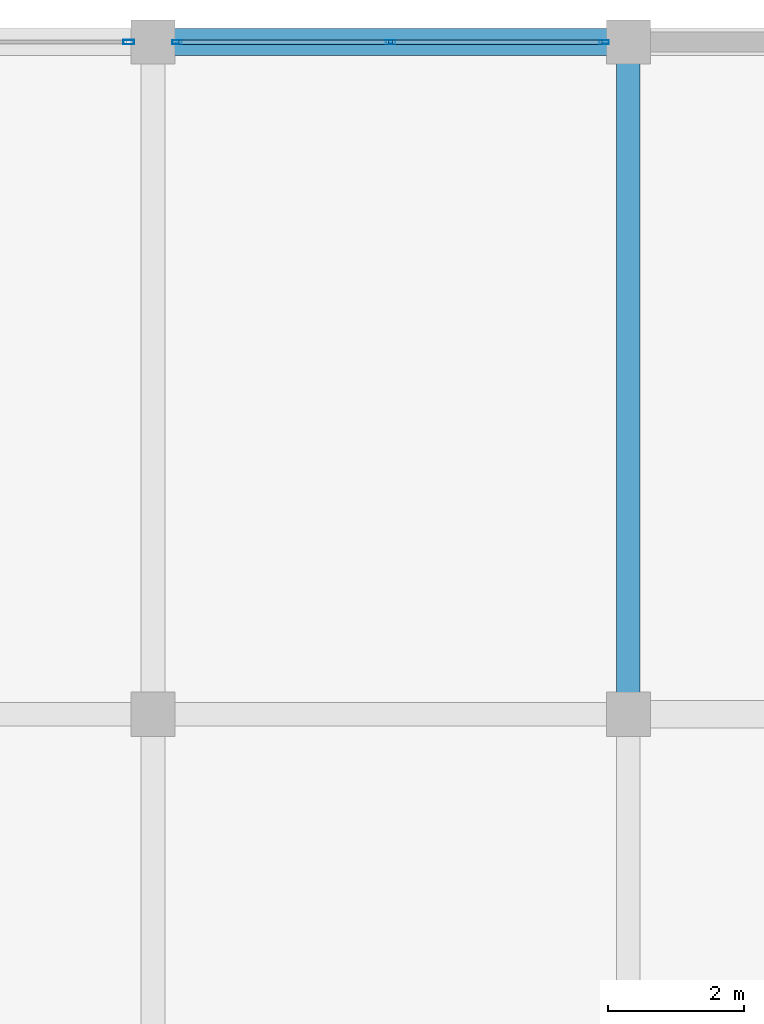
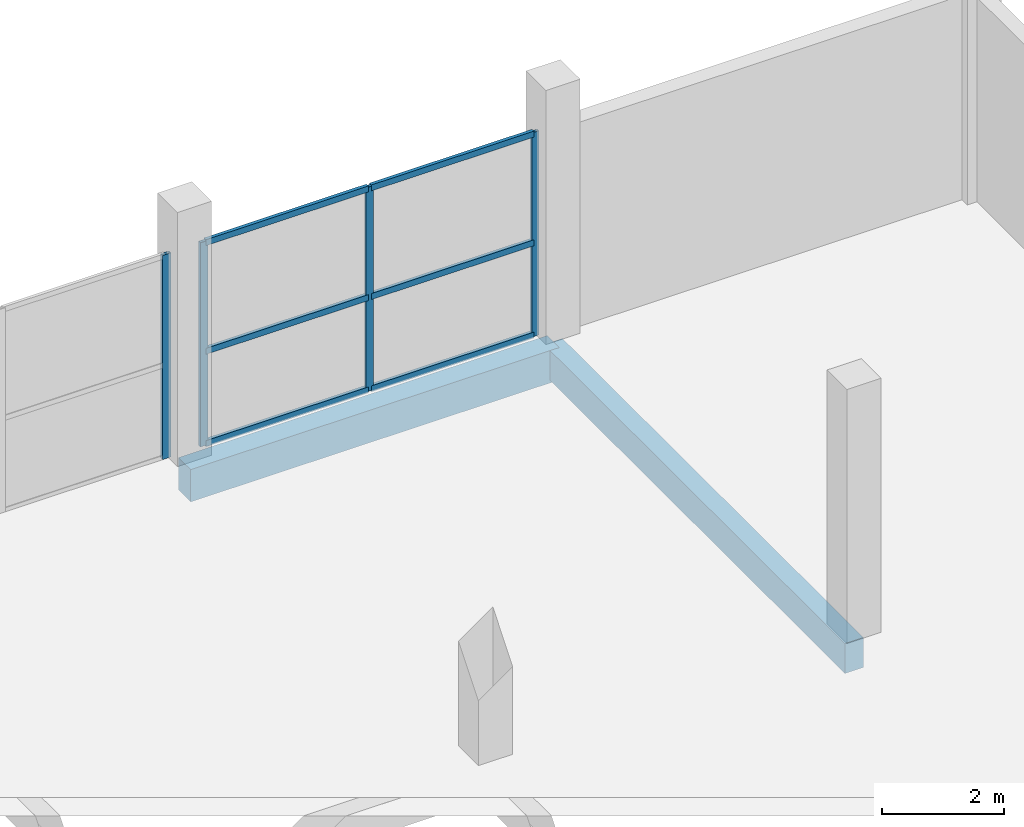
# One storey, part 39 of 58: 10 members, 2 beams, 2 elements without a shape of their own.
"""IFC4 building model written with IfcOpenShell, lengths in metres."""

from ifc_helpers import new_model, si_unit, direction, frame, origin, origin_2d, place, context, subcontext, project, spatial, rectangle, hollow_rectangle, extrude, material, layer, layer_set, material_profile, profile_set, type_object, element, aggregate, save


model = new_model("IFC4")

# Units and contexts
model_context = context("Model", 3, precision=1e-05, world=origin(), true_north=direction((0.0, 1.0)))
body_context = subcontext(model_context, "Body", "Model", "MODEL_VIEW")
ifc_project = project(units=[si_unit("LENGTHUNIT", "METRE"), si_unit("AREAUNIT", "SQUARE_METRE"), si_unit("VOLUMEUNIT", "CUBIC_METRE"), si_unit("PLANEANGLEUNIT", "RADIAN"), si_unit("MASSUNIT", "GRAM", prefix="KILO")], contexts=[model_context])

# Site, building, storey
site_placement = place(None, origin())
site = spatial("IfcSite", under=ifc_project, at=site_placement, CompositionType="ELEMENT")
building_placement = place(site_placement, origin())
building = spatial("IfcBuilding", under=site, at=building_placement, Name="Sillaruma Civic Art Gallery", CompositionType="ELEMENT")
storey_placement = place(building_placement, frame((0.0, 0.0, 52.02001953125)))
storey = spatial("IfcBuildingStorey", under=building, at=storey_placement, Name="L10", CompositionType="ELEMENT", Elevation=52.02001953125)

# Beams
ifc_material_1 = material(Name="Concrete H35 (35 MPa)", Category="concrete")
ifc_material_profile_1 = material_profile(ifc_material_1, rectangle(XDim=0.35009765625, YDim=0.60009765625, at=origin_2d()), Name="RCB350x600")
ifc_profile_set_1 = profile_set([ifc_material_profile_1], Name="Concrete H35 (35 MPa)")
beam_type_1 = type_object("IfcBeamType", Name="BM-BEAM-RCB350x600", PredefinedType="BEAM", material=ifc_profile_set_1)
beam_1_placement = place(storey_placement, frame((84.0, 89.10009765625, -0.550048828125), z_axis=(0.0, 1.0, 0.0), x_axis=(-1.0, 0.0, 0.0)))
element("IfcBeam", 1, at=beam_1_placement, inside=storey, type_object=beam_type_1, Name="Beam BM-06 (L09:J:10-11)", PredefinedType="BEAM", context=body_context, shape_type="SweptSolid", body=[
    extrude(rectangle(XDim=0.35009765625, YDim=0.60009765625, at=origin_2d()), origin(), (0.0, 0.0, 1.0), 9.89990234375),
])
ifc_material_profile_2 = material_profile(ifc_material_1, rectangle(XDim=0.39990234375, YDim=0.64990234375, at=origin_2d()), Name="RCB400x650")
ifc_profile_set_2 = profile_set([ifc_material_profile_2], Name="Concrete H35 (35 MPa)")
beam_type_2 = type_object("IfcBeamType", Name="BM-SPANDREL-RCB400x650", PredefinedType="SPANDREL", material=ifc_profile_set_2)
beam_2_placement = place(storey_placement, frame((77.0, 99.0, -0.574951171875), z_axis=(1.0, 0.0, 0.0), x_axis=(0.0, 1.0, 0.0)))
element("IfcBeam", 2, at=beam_2_placement, inside=storey, type_object=beam_type_2, Name="Beam BS-02 (L09:11:H-J)", PredefinedType="SPANDREL", context=body_context, shape_type="SweptSolid", body=[
    extrude(rectangle(XDim=0.39990234375, YDim=0.64990234375, at=origin_2d()), origin(), (0.0, 0.0, 1.0), 7.0),
])

# Curtain wall, members
ifc_material_2 = material(Name="Thermally Broken Extruded Aluminium 6063-T6", Category="aluminium")
ifc_layer_1 = layer(ifc_material_2, 0.139892578125, Name="Thermally Broken Extruded Aluminium 6063-T6")
ifc_layer_set_1 = layer_set([ifc_layer_1], Name="Thermally Broken Extruded Aluminium 6063-T6")
curtain_wall_type_1 = type_object("IfcCurtainWallType", Name="CW-UNI-76", PredefinedType="NOTDEFINED", material=ifc_layer_set_1)
curtain_wall_1_placement = place(storey_placement, origin())
curtain_wall_1 = element("IfcCurtainWall", 3, at=curtain_wall_1_placement, inside=storey, type_object=curtain_wall_type_1, Name="Unitised Curtain Wall CW-76 (CW-L10-WBN-3)", PredefinedType="NOTDEFINED")
ifc_material_profile_3 = material_profile(ifc_material_2, hollow_rectangle(XDim=0.06005859375, YDim=0.139892578125, WallThickness=0.00341796875, at=origin_2d()), Name="CWM60x140")
ifc_profile_set_3 = profile_set([ifc_material_profile_3], Name="Thermally Broken Extruded Aluminium 6063-T6")
member_type_1 = type_object("IfcMemberType", Name="MEM-MUL-CWM60x140", PredefinedType="MULLION", material=ifc_profile_set_3)
member_1_placement = place(storey_placement, frame((77.35498046875, 99.0, 0.0), z_axis=(0.0, 0.0, 1.0), x_axis=(0.0, 1.0, 0.0)))
member_1 = element("IfcMember", 4, at=member_1_placement, type_object=member_type_1, Name="CW-76 mullion 1", PredefinedType="MULLION", context=body_context, shape_type="SweptSolid", body=[
    extrude(hollow_rectangle(XDim=0.06005859375, YDim=0.139892578125, WallThickness=0.00341796875, at=origin_2d()), origin(), (0.0, 0.0, 1.0), 4.10009765625),
])
member_2_placement = place(storey_placement, frame((80.5, 99.0, 0.0), z_axis=(0.0, 0.0, 1.0), x_axis=(0.0, 1.0, 0.0)))
member_2 = element("IfcMember", 5, at=member_2_placement, type_object=member_type_1, Name="CW-76 mullion 2", PredefinedType="MULLION", context=body_context, shape_type="SweptSolid", body=[
    extrude(hollow_rectangle(XDim=0.06005859375, YDim=0.139892578125, WallThickness=0.00341796875, at=origin_2d()), origin(), (0.0, 0.0, 1.0), 4.10009765625),
])
member_3_placement = place(storey_placement, frame((83.64501953125, 99.0, 0.0), z_axis=(0.0, 0.0, 1.0), x_axis=(0.0, 1.0, 0.0)))
member_3 = element("IfcMember", 6, at=member_3_placement, type_object=member_type_1, Name="CW-76 mullion 3", PredefinedType="MULLION", context=body_context, shape_type="SweptSolid", body=[
    extrude(hollow_rectangle(XDim=0.06005859375, YDim=0.139892578125, WallThickness=0.00341796875, at=origin_2d()), origin(), (0.0, 0.0, 1.0), 4.10009765625),
])

# Curtain wall, member
ifc_layer_2 = layer(ifc_material_2, 0.159912109375, Name="Thermally Broken Extruded Aluminium 6063-T6")
ifc_layer_set_2 = layer_set([ifc_layer_2], Name="Thermally Broken Extruded Aluminium 6063-T6")
curtain_wall_type_2 = type_object("IfcCurtainWallType", Name="CW-UNI-68", PredefinedType="NOTDEFINED", material=ifc_layer_set_2)
curtain_wall_2_placement = place(storey_placement, origin())
curtain_wall_2 = element("IfcCurtainWall", 7, at=curtain_wall_2_placement, inside=storey, type_object=curtain_wall_type_2, Name="Unitised Curtain Wall CW-68 (CW-L10-WBN-2)", PredefinedType="NOTDEFINED")
ifc_material_profile_4 = material_profile(ifc_material_2, hollow_rectangle(XDim=0.06494140625, YDim=0.159912109375, WallThickness=0.00390625, at=origin_2d()), Name="CWM65x160")
ifc_profile_set_4 = profile_set([ifc_material_profile_4], Name="Thermally Broken Extruded Aluminium 6063-T6")
member_type_2 = type_object("IfcMemberType", Name="MEM-MUL-CWM65x160", PredefinedType="MULLION", material=ifc_profile_set_4)
member_4_placement = place(storey_placement, frame((76.642578125, 99.0, 0.0), z_axis=(0.0, 0.0, 1.0), x_axis=(0.0, 1.0, 0.0)))
member_4 = element("IfcMember", 8, at=member_4_placement, type_object=member_type_2, Name="CW-68 mullion 3", PredefinedType="MULLION", context=body_context, shape_type="SweptSolid", body=[
    extrude(hollow_rectangle(XDim=0.06494140625, YDim=0.159912109375, WallThickness=0.00390625, at=origin_2d()), origin(), (0.0, 0.0, 1.0), 4.10009765625),
])
aggregate(curtain_wall_2, [member_4])

# Member
ifc_material_profile_5 = material_profile(ifc_material_2, hollow_rectangle(XDim=0.06494140625, YDim=0.1201171875, WallThickness=0.00341796875, at=origin_2d()), Name="CWT65x120")
ifc_profile_set_5 = profile_set([ifc_material_profile_5], Name="Thermally Broken Extruded Aluminium 6063-T6")
member_type_3 = type_object("IfcMemberType", Name="MEM-TRN-CWT65x120", PredefinedType="USERDEFINED", material=ifc_profile_set_5)
member_5_placement = place(storey_placement, frame((77.385009765625, 99.0, 0.032470703125), z_axis=(1.0, 0.0, 0.0), x_axis=(0.0, 1.0, 0.0)))
member_5 = element("IfcMember", 9, at=member_5_placement, type_object=member_type_3, Name="CW-76 transom 1.1", ObjectType="TRANSOM", PredefinedType="USERDEFINED", context=body_context, shape_type="SweptSolid", body=[
    extrude(hollow_rectangle(XDim=0.06494140625, YDim=0.1201171875, WallThickness=0.00341796875, at=origin_2d()), origin(), (0.0, 0.0, 1.0), 3.0849609375),
])

member_6_placement = place(storey_placement, frame((77.385009765625, 99.0, 1.885986328125), z_axis=(1.0, 0.0, 0.0), x_axis=(0.0, 1.0, 0.0)))
member_6 = element("IfcMember", 10, at=member_6_placement, type_object=member_type_3, Name="CW-76 transom 1.2", ObjectType="TRANSOM", PredefinedType="USERDEFINED", context=body_context, shape_type="SweptSolid", body=[
    extrude(hollow_rectangle(XDim=0.06494140625, YDim=0.1201171875, WallThickness=0.00341796875, at=origin_2d()), origin(), (0.0, 0.0, 1.0), 3.0849609375),
])

member_7_placement = place(storey_placement, frame((77.385009765625, 99.0, 4.0673828125), z_axis=(1.0, 0.0, 0.0), x_axis=(0.0, 1.0, 0.0)))
member_7 = element("IfcMember", 11, at=member_7_placement, type_object=member_type_3, Name="CW-76 transom 1.3", ObjectType="TRANSOM", PredefinedType="USERDEFINED", context=body_context, shape_type="SweptSolid", body=[
    extrude(hollow_rectangle(XDim=0.06494140625, YDim=0.1201171875, WallThickness=0.00341796875, at=origin_2d()), origin(), (0.0, 0.0, 1.0), 3.0849609375),
])

member_8_placement = place(storey_placement, frame((80.530029296875, 99.0, 0.032470703125), z_axis=(1.0, 0.0, 0.0), x_axis=(0.0, 1.0, 0.0)))
member_8 = element("IfcMember", 12, at=member_8_placement, type_object=member_type_3, Name="CW-76 transom 2.1", ObjectType="TRANSOM", PredefinedType="USERDEFINED", context=body_context, shape_type="SweptSolid", body=[
    extrude(hollow_rectangle(XDim=0.06494140625, YDim=0.1201171875, WallThickness=0.00341796875, at=origin_2d()), origin(), (0.0, 0.0, 1.0), 3.0849609375),
])

member_9_placement = place(storey_placement, frame((80.530029296875, 99.0, 1.885986328125), z_axis=(1.0, 0.0, 0.0), x_axis=(0.0, 1.0, 0.0)))
member_9 = element("IfcMember", 13, at=member_9_placement, type_object=member_type_3, Name="CW-76 transom 2.2", ObjectType="TRANSOM", PredefinedType="USERDEFINED", context=body_context, shape_type="SweptSolid", body=[
    extrude(hollow_rectangle(XDim=0.06494140625, YDim=0.1201171875, WallThickness=0.00341796875, at=origin_2d()), origin(), (0.0, 0.0, 1.0), 3.0849609375),
])

member_10_placement = place(storey_placement, frame((80.530029296875, 99.0, 4.0673828125), z_axis=(1.0, 0.0, 0.0), x_axis=(0.0, 1.0, 0.0)))
member_10 = element("IfcMember", 14, at=member_10_placement, type_object=member_type_3, Name="CW-76 transom 2.3", ObjectType="TRANSOM", PredefinedType="USERDEFINED", context=body_context, shape_type="SweptSolid", body=[
    extrude(hollow_rectangle(XDim=0.06494140625, YDim=0.1201171875, WallThickness=0.00341796875, at=origin_2d()), origin(), (0.0, 0.0, 1.0), 3.0849609375),
])

aggregate(curtain_wall_1, [member_1, member_2, member_3, member_5, member_6, member_7, member_8, member_9, member_10])

save(model, "model.ifc")
